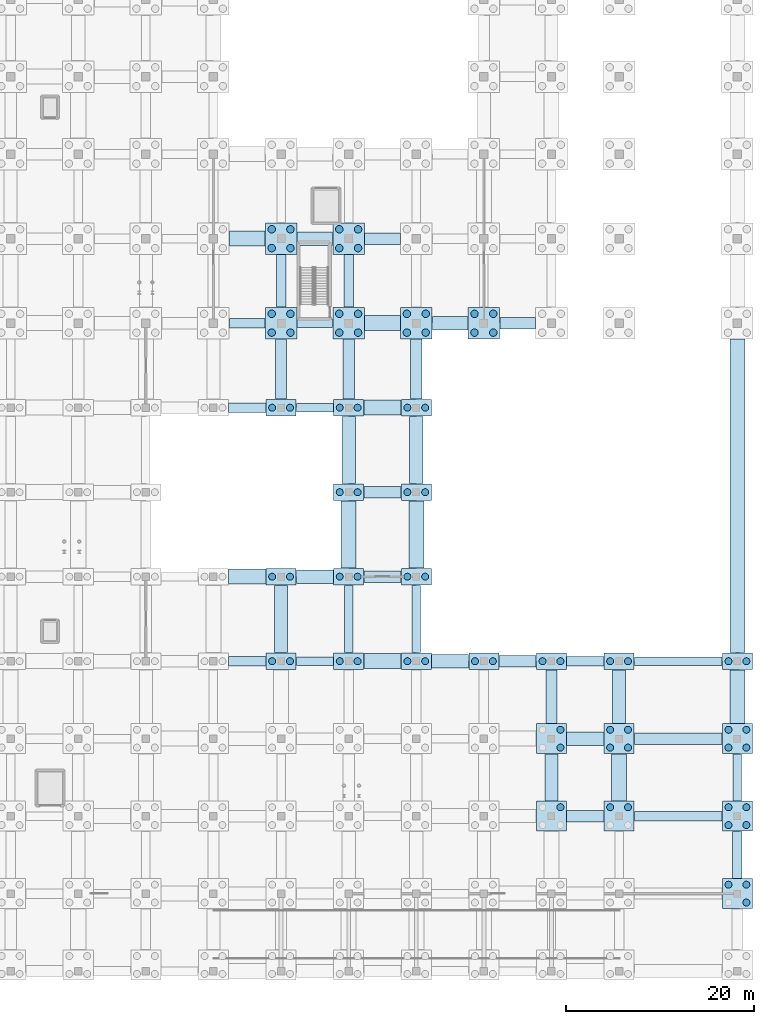
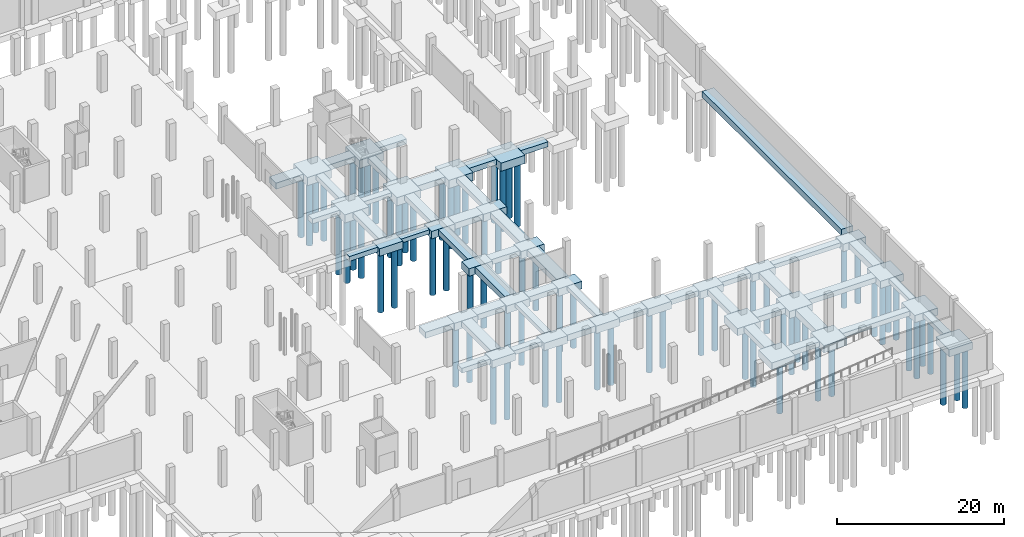
# One storey, part 10 of 42: 74 footings, 74 piles.
"""IFC4 building model written with IfcOpenShell, lengths in metres."""

import ifcopenshell
import ifcopenshell.guid

model = None  # the IFC model being written
_history = None  # IfcOwnerHistory: only IFC2X3 demands one
_inside = {}  # id of a spatial element -> (the spatial element, [elements in it])
_under = {}  # id of a project, library or spatial element -> (it, [spatial elements below it])
_declared = {}  # id of a project -> (the project, [libraries it declares])
_typed = {}  # id of a type object -> (the type object, [elements of that type])
_made_of = {}  # id of a material, layer set ... -> (it, [elements and type objects made of it])


def new_model(schema):
    """Start an empty IFC model of exactly this schema.

    Asked for "IFC4X3", IfcOpenShell would pick the latest addendum, in which some entities
    have other attributes; the version numbers below select the first issue.
    IFC2X3 requires an IfcOwnerHistory on every rooted entity: one is made here for all.
    """
    global model, _history
    if schema == "IFC4X3":
        model = ifcopenshell.file(schema_version=(4, 3, 0, 0))
    else:
        model = ifcopenshell.file(schema=schema)
    _inside.clear()
    _under.clear()
    _declared.clear()
    _typed.clear()
    _made_of.clear()
    _history = None
    if model.schema == "IFC2X3":
        org = make("IfcOrganization", Name="unknown")
        user = make(
            "IfcPersonAndOrganization",
            ThePerson=make("IfcPerson", FamilyName="unknown"),
            TheOrganization=org,
        )
        app = make(
            "IfcApplication",
            ApplicationDeveloper=org,
            Version="unknown",
            ApplicationFullName="unknown",
            ApplicationIdentifier="unknown",
        )
        _history = make(
            "IfcOwnerHistory",
            OwningUser=user,
            OwningApplication=app,
            ChangeAction="ADDED",
            CreationDate=0,
        )
    return model


def make(cls, **values):
    """One entity of the class cls with the attributes given. An attribute that is None is left unset."""
    return model.create_entity(
        cls, **{name: value for name, value in values.items() if value is not None}
    )


def rooted(cls, **values):
    """An entity with a GlobalId (a new one), such as an element, a storey or a relation."""
    return make(cls, GlobalId=ifcopenshell.guid.new(), OwnerHistory=_history, **values)


def si_unit(unit_type, name, prefix=None):
    """IfcSIUnit, for example si_unit("LENGTHUNIT", "METRE", prefix="MILLI")."""
    return make("IfcSIUnit", UnitType=unit_type, Prefix=prefix, Name=name)


def assignment(units):
    """IfcUnitAssignment: the units of a project."""
    return None if units is None else make("IfcUnitAssignment", Units=units)


def point(xyz):
    """IfcCartesianPoint."""
    return None if xyz is None else make("IfcCartesianPoint", Coordinates=xyz)


def direction(xyz):
    """IfcDirection."""
    return None if xyz is None else make("IfcDirection", DirectionRatios=xyz)


def frame(location, z_axis=None, x_axis=None):
    """IfcAxis2Placement3D, a coordinate frame: its origin and axes. An axis left out is left unset."""
    return make(
        "IfcAxis2Placement3D",
        Location=point(location),
        Axis=direction(z_axis),
        RefDirection=direction(x_axis),
    )


def frame_2d(location, x_axis=None):
    """IfcAxis2Placement2D, a coordinate frame in the plane: its origin and x axis."""
    return make(
        "IfcAxis2Placement2D", Location=point(location), RefDirection=direction(x_axis)
    )


def origin():
    """The frame at (0, 0, 0) with its axes left unset."""
    return frame((0.0, 0.0, 0.0))


def origin_2d():
    """The frame at (0, 0) in the plane with its x axis left unset."""
    return frame_2d((0.0, 0.0))


def place(relative_to, where):
    """IfcLocalPlacement: puts the frame where relative to a parent placement (None: the world)."""
    return make(
        "IfcLocalPlacement", PlacementRelTo=relative_to, RelativePlacement=where
    )


def context(
    kind, dimensions, precision=None, world=None, true_north=None, identifier=None
):
    """IfcGeometricRepresentationContext, for example the 3D "Model" context."""
    return make(
        "IfcGeometricRepresentationContext",
        ContextIdentifier=identifier,
        ContextType=kind,
        CoordinateSpaceDimension=dimensions,
        Precision=precision,
        WorldCoordinateSystem=world,
        TrueNorth=true_north,
    )


def subcontext(parent, identifier, kind, view, scale=None):
    """IfcGeometricRepresentationSubContext, for example "Body" below "Model"."""
    return make(
        "IfcGeometricRepresentationSubContext",
        ContextIdentifier=identifier,
        ContextType=kind,
        ParentContext=parent,
        TargetScale=scale,
        TargetView=view,
    )


def project(units=None, contexts=None):
    """IfcProject with its units and contexts."""
    return rooted(
        "IfcProject",
        Name="project",
        RepresentationContexts=contexts,
        UnitsInContext=assignment(units),
    )


def spatial(cls, under=None, at=None, **own):
    """A site, building, storey or space (cls), placed at a placement, below another one or the project."""
    s = rooted(cls, ObjectPlacement=at, **own)
    if under is not None:
        _under.setdefault(under.id(), (under, []))[1].append(s)
    return s


def profile(cls, at=None, kind="AREA", **sizes):
    """A parametric profile (cls). Its sizes go by their IFC names, for example OverallWidth=200.0."""
    return make(cls, ProfileType=kind, Position=at, **sizes)


def rectangle(**sizes):
    """IfcRectangleProfileDef."""
    return profile("IfcRectangleProfileDef", **sizes)


def circle(**sizes):
    """IfcCircleProfileDef."""
    return profile("IfcCircleProfileDef", **sizes)


def extrude(swept, where, along, depth):
    """IfcExtrudedAreaSolid: the profile swept, set in the frame where, extruded along a direction by depth."""
    return make(
        "IfcExtrudedAreaSolid",
        SweptArea=swept,
        Position=where,
        ExtrudedDirection=direction(along),
        Depth=depth,
    )


def shape(context_of_items, identifier, shape_type, items):
    """IfcShapeRepresentation: the items that make up one representation, for example the "Body"."""
    return make(
        "IfcShapeRepresentation",
        ContextOfItems=context_of_items,
        RepresentationIdentifier=identifier,
        RepresentationType=shape_type,
        Items=items,
    )


def material(Name=None, Category=None):
    """IfcMaterial."""
    return make("IfcMaterial", Name=Name, Category=Category)


def material_profile(
    of_material, cross_section, Name=None, Category=None, Priority=None
):
    """IfcMaterialProfile: a cross section and its material."""
    return make(
        "IfcMaterialProfile",
        Name=Name,
        Material=of_material,
        Profile=cross_section,
        Priority=Priority,
        Category=Category,
    )


def profile_set(profiles, Name=None, composite=None):
    """IfcMaterialProfileSet."""
    return make(
        "IfcMaterialProfileSet",
        Name=Name,
        MaterialProfiles=profiles,
        CompositeProfile=composite,
    )


def made_of(thing, what):
    """Note that an element or type object is made of a material, layer set ...; save() writes the relation."""
    if what is not None:
        _made_of.setdefault(what.id(), (what, []))[1].append(thing)
    return thing


def type_object(cls, material=None, **own):
    """A type object (cls), such as IfcWallType, which elements share."""
    return made_of(rooted(cls, **own), material)


def element(
    cls,
    number,
    at=None,
    inside=None,
    cuts=None,
    type_object=None,
    material=None,
    context=None,
    identifier="Body",
    shape_type=None,
    held_by="IfcProductDefinitionShape",
    body=None,
    shapes=None,
    **own,
):
    """One element of the class cls, such as IfcWall. Its Tag is "e" and its number.

    at: its placement. inside: the storey or other place that contains it. cuts: it is an
    opening in that element (IfcRelVoidsElement). A single representation is given by context,
    identifier, shape_type and body (its items); several are given by shapes. held_by: the class
    of the entity that holds the representations. save() writes the other relations.
    """
    e = rooted(cls, Tag="e%d" % number, ObjectPlacement=at, **own)
    if body is not None:
        shapes = [shape(context, identifier, shape_type, body)]
    if shapes is not None:
        e.Representation = make(held_by, Representations=shapes)
    if inside is not None:
        _inside.setdefault(inside.id(), (inside, []))[1].append(e)
    if cuts is not None:
        rooted(
            "IfcRelVoidsElement", RelatingBuildingElement=cuts, RelatedOpeningElement=e
        )
    if type_object is not None:
        _typed.setdefault(type_object.id(), (type_object, []))[1].append(e)
    return made_of(e, material)


def aggregate(whole, parts):
    """IfcRelAggregates: a whole, such as a stair, and the parts it consists of."""
    return rooted("IfcRelAggregates", RelatingObject=whole, RelatedObjects=parts)


def save(model, path):
    """Write the relations noted so far, then the file.

    IfcRelAggregates (storeys below a building ...), IfcRelContainedInSpatialStructure (elements
    in a storey), IfcRelDefinesByType, IfcRelAssociatesMaterial and IfcRelDeclares: one each for
    every whole, place, type object, material and project.
    """
    for whole, parts in _under.values():
        aggregate(whole, parts)
    for where, things in _inside.values():
        rooted(
            "IfcRelContainedInSpatialStructure",
            RelatedElements=things,
            RelatingStructure=where,
        )
    for kind, things in _typed.values():
        rooted("IfcRelDefinesByType", RelatedObjects=things, RelatingType=kind)
    for what, things in _made_of.values():
        rooted("IfcRelAssociatesMaterial", RelatedObjects=things, RelatingMaterial=what)
    for by, libraries in _declared.values():
        rooted("IfcRelDeclares", RelatingContext=by, RelatedDefinitions=libraries)
    model.write(path)


model = new_model("IFC4")

# Units and contexts
model_context = context("Model", 3, precision=1e-05, world=origin(), true_north=direction((0.0, 1.0)))
body_context = subcontext(model_context, "Body", "Model", "MODEL_VIEW")
ifc_project = project(units=[si_unit("LENGTHUNIT", "METRE"), si_unit("AREAUNIT", "SQUARE_METRE"), si_unit("VOLUMEUNIT", "CUBIC_METRE"), si_unit("PLANEANGLEUNIT", "RADIAN"), si_unit("MASSUNIT", "GRAM", prefix="KILO")], contexts=[model_context])

# Site, building, storey
site_placement = place(None, origin())
site = spatial("IfcSite", under=ifc_project, at=site_placement, CompositionType="ELEMENT")
building_placement = place(site_placement, origin())
building = spatial("IfcBuilding", under=site, at=building_placement, Name="Sundgate Opera House", CompositionType="ELEMENT")
storey_placement = place(building_placement, frame((0.0, 0.0, -5.39990234375)))
storey = spatial("IfcBuildingStorey", under=building, at=storey_placement, Name="B01", CompositionType="ELEMENT", Elevation=-5.39990234375)

# Footings
ifc_material_1 = material(Name="Concrete C40/50", Category="concrete")
footing_type_1 = type_object("IfcFootingType", Name="FT-PC-3200x1800x1100", PredefinedType="PILE_CAP", material=ifc_material_1)
for number, where, z_axis, x_axis, name in (
    (1, (131.39990234375, 33.0, -1.900146484375), (0.0, 0.0, 1.0), (1.0, 0.0, 0.0), "Pile Cap F0222"),
    (2, (131.39990234375, 42.0, -1.900146484375), (0.0, 0.0, 1.0), (1.0, 0.0, 0.0), "Pile Cap F0223"),
    (3, (131.39990234375, 60.0, -1.900146484375), (0.0, 0.0, 1.0), (1.0, 0.0, 0.0), "Pile Cap F0224"),
    (4, (138.60009765625, 33.0, -1.900146484375), (0.0, 0.0, 1.0), (1.0, 0.0, 0.0), "Pile Cap F0234"),
    (5, (138.60009765625, 42.0, -1.900146484375), (0.0, 0.0, 1.0), (1.0, 0.0, 0.0), "Pile Cap F0235"),
    (6, (138.60009765625, 51.0, -1.900146484375), (0.0, 0.0, 1.0), (1.0, 0.0, 0.0), "Pile Cap F0236"),
    (7, (138.60009765625, 60.0, -1.900146484375), (0.0, 0.0, 1.0), (1.0, 0.0, 0.0), "Pile Cap F0237"),
    (8, (145.800048828125, 33.0, -1.900146484375), (0.0, 0.0, 1.0), (1.0, 0.0, 0.0), "Pile Cap F0247"),
    (9, (145.800048828125, 42.0, -1.900146484375), (0.0, 0.0, 1.0), (1.0, 0.0, 0.0), "Pile Cap F0248"),
    (10, (145.800048828125, 51.0, -1.900146484375), (0.0, 0.0, 1.0), (1.0, 0.0, 0.0), "Pile Cap F0249"),
    (11, (145.800048828125, 60.0, -1.900146484375), (0.0, 0.0, 1.0), (1.0, 0.0, 0.0), "Pile Cap F0250"),
    (12, (153.0, 33.0, -1.900146484375), (0.0, 0.0, 1.0), (1.0, 0.0, 0.0), "Pile Cap F0260"),
    (13, (160.199951171875, 33.0, -1.900146484375), (0.0, 0.0, 1.0), (1.0, 0.0, 0.0), "Pile Cap F0272"),
    (14, (167.39990234375, 33.0, -1.900146484375), (0.0, 0.0, 1.0), (1.0, 0.0, 0.0), "Pile Cap F0284"),
    (15, (180.0, 33.0, -1.900146484375), (0.0, 0.0, 1.0), (1.0, 0.0, 0.0), "Pile Cap F0296"),
):
    element("IfcFooting", number, at=place(storey_placement, frame(where, z_axis=z_axis, x_axis=x_axis)), inside=storey, type_object=footing_type_1, Name=name, PredefinedType="PILE_CAP", context=body_context, shape_type="SweptSolid", body=[
        extrude(rectangle(XDim=3.199951171875, YDim=1.800048828125, at=origin_2d()), origin(), (0.0, 0.0, 1.0), 1.10009765625),
    ])
ifc_material_2 = material(Name="Concrete C40/50", Category="concrete")
footing_type_2 = type_object("IfcFootingType", Name="FT-PC-3200x3200x1050", PredefinedType="PILE_CAP", material=ifc_material_2)
for number, where, z_axis, x_axis, name in (
    (16, (160.199951171875, 16.5, -1.85009765625), (0.0, 0.0, 1.0), (1.0, 0.0, 0.0), "Pile Cap F0270"),
    (17, (160.199951171875, 24.75, -1.85009765625), (0.0, 0.0, 1.0), (1.0, 0.0, 0.0), "Pile Cap F0271"),
    (18, (167.39990234375, 16.5, -1.85009765625), (0.0, 0.0, 1.0), (1.0, 0.0, 0.0), "Pile Cap F0282"),
    (19, (167.39990234375, 24.75, -1.85009765625), (0.0, 0.0, 1.0), (1.0, 0.0, 0.0), "Pile Cap F0283"),
    (20, (180.0, 8.25, -1.85009765625), (0.0, 0.0, 1.0), (1.0, 0.0, 0.0), "Pile Cap F0293"),
    (21, (180.0, 16.5, -1.85009765625), (0.0, 0.0, 1.0), (1.0, 0.0, 0.0), "Pile Cap F0294"),
    (22, (180.0, 24.75, -1.85009765625), (0.0, 0.0, 1.0), (1.0, 0.0, 0.0), "Pile Cap F0295"),
):
    element("IfcFooting", number, at=place(storey_placement, frame(where, z_axis=z_axis, x_axis=x_axis)), inside=storey, type_object=footing_type_2, Name=name, PredefinedType="PILE_CAP", context=body_context, shape_type="SweptSolid", body=[
        extrude(rectangle(XDim=3.199951171875, YDim=3.199951171875, at=origin_2d()), origin(), (0.0, 0.0, 1.0), 1.050048828125),
    ])
ifc_material_3 = material(Name="Concrete C40/50", Category="concrete")
footing_type_3 = type_object("IfcFootingType", Name="FT-PC-3360x3360x1200", PredefinedType="PILE_CAP", material=ifc_material_3)
for number, where, z_axis, x_axis, name in (
    (23, (131.39990234375, 69.0, -2.0), (0.0, 0.0, 1.0), (1.0, 0.0, 0.0), "Pile Cap F0225"),
    (24, (131.39990234375, 78.0, -2.0), (0.0, 0.0, 1.0), (1.0, 0.0, 0.0), "Pile Cap F0226"),
    (25, (138.60009765625, 69.0, -2.0), (0.0, 0.0, 1.0), (1.0, 0.0, 0.0), "Pile Cap F0238"),
    (26, (138.60009765625, 78.0, -2.0), (0.0, 0.0, 1.0), (1.0, 0.0, 0.0), "Pile Cap F0239"),
    (27, (145.800048828125, 69.0, -2.0), (0.0, 0.0, 1.0), (1.0, 0.0, 0.0), "Pile Cap F0251"),
    (28, (153.0, 69.0, -2.0), (0.0, 0.0, 1.0), (1.0, 0.0, 0.0), "Pile Cap F0261"),
):
    element("IfcFooting", number, at=place(storey_placement, frame(where, z_axis=z_axis, x_axis=x_axis)), inside=storey, type_object=footing_type_3, Name=name, PredefinedType="PILE_CAP", context=body_context, shape_type="SweptSolid", body=[
        extrude(rectangle(XDim=3.360107421875, YDim=3.360107421875, at=origin_2d()), origin(), (0.0, 0.0, 1.0), 1.199951171875),
    ])
ifc_material_4 = material(Name="Concrete C35/45", Category="concrete")
footing_type_4 = type_object("IfcFootingType", Name="FT-STR-1000x700", PredefinedType="STRIP_FOOTING", material=ifc_material_4)
for number, where, z_axis, x_axis, name in (
    (29, (131.39990234375, 73.5, -1.5), (0.0, 0.0, 1.0), (1.0, 0.0, 0.0), "Strip Footing F0492"),
    (30, (138.60009765625, 73.5, -1.5), (0.0, 0.0, 1.0), (1.0, 0.0, 0.0), "Strip Footing F0502"),
):
    element("IfcFooting", number, at=place(storey_placement, frame(where, z_axis=z_axis, x_axis=x_axis)), inside=storey, type_object=footing_type_4, Name=name, PredefinedType="STRIP_FOOTING", context=body_context, shape_type="SweptSolid", body=[
        extrude(rectangle(XDim=1.0, YDim=5.590087890625, at=origin_2d()), origin(), (0.0, 0.0, 1.0), 0.699951171875),
    ])
footing_1_placement = place(storey_placement, frame((180.0, 12.375, -1.5), z_axis=(0.0, 0.0, 1.0), x_axis=(1.0, 0.0, 0.0)))
element("IfcFooting", 31, at=footing_1_placement, inside=storey, type_object=footing_type_4, Name="Strip Footing F0537", PredefinedType="STRIP_FOOTING", context=body_context, shape_type="SweptSolid", body=[
    extrude(rectangle(XDim=1.0, YDim=5.0, at=origin_2d()), origin(), (0.0, 0.0, 1.0), 0.699951171875),
])
footing_2_placement = place(storey_placement, frame((173.699951171875, 16.5, -1.5), z_axis=(0.0, 0.0, 1.0), x_axis=(1.0, 0.0, 0.0)))
element("IfcFooting", 32, at=footing_2_placement, inside=storey, type_object=footing_type_4, Name="Strip Footing F0587", PredefinedType="STRIP_FOOTING", context=body_context, shape_type="SweptSolid", body=[
    extrude(rectangle(XDim=9.35009765625, YDim=1.0, at=origin_2d()), origin(), (0.0, 0.0, 1.0), 0.699951171875),
])
for number, where, z_axis, x_axis, name in (
    (33, (127.800048828125, 33.0, -1.5), (0.0, 0.0, 1.0), (1.0, 0.0, 0.0), "Strip Footing F0617"),
    (34, (163.800048828125, 33.0, -1.5), (0.0, 0.0, 1.0), (1.0, 0.0, 0.0), "Strip Footing F0622"),
    (35, (127.800048828125, 60.0, -1.5), (0.0, 0.0, 1.0), (1.0, 0.0, 0.0), "Strip Footing F0672"),
):
    element("IfcFooting", number, at=place(storey_placement, frame(where, z_axis=z_axis, x_axis=x_axis)), inside=storey, type_object=footing_type_4, Name=name, PredefinedType="STRIP_FOOTING", context=body_context, shape_type="SweptSolid", body=[
        extrude(rectangle(XDim=3.949951171875, YDim=1.0, at=origin_2d()), origin(), (0.0, 0.0, 1.0), 0.699951171875),
    ])
footing_3_placement = place(storey_placement, frame((127.800048828125, 69.0, -1.5), z_axis=(0.0, 0.0, 1.0), x_axis=(1.0, 0.0, 0.0)))
element("IfcFooting", 36, at=footing_3_placement, inside=storey, type_object=footing_type_4, Name="Strip Footing F0687", PredefinedType="STRIP_FOOTING", context=body_context, shape_type="SweptSolid", body=[
    extrude(rectangle(XDim=3.7900390625, YDim=1.0, at=origin_2d()), origin(), (0.0, 0.0, 1.0), 0.699951171875),
])
ifc_material_5 = material(Name="Concrete C35/45", Category="concrete")
footing_type_5 = type_object("IfcFootingType", Name="FT-STR-1200x750", PredefinedType="STRIP_FOOTING", material=ifc_material_5)
for number, where, z_axis, x_axis, name in (
    (37, (131.39990234375, 64.110107421875, -1.550048828125), (0.0, 0.0, 1.0), (1.0, 0.0, 0.0), "Strip Footing F0491"),
    (38, (138.60009765625, 64.110107421875, -1.550048828125), (0.0, 0.0, 1.0), (1.0, 0.0, 0.0), "Strip Footing F0501"),
    (39, (145.800048828125, 64.110107421875, -1.550048828125), (0.0, 0.0, 1.0), (1.0, 0.0, 0.0), "Strip Footing F0511"),
):
    element("IfcFooting", number, at=place(storey_placement, frame(where, z_axis=z_axis, x_axis=x_axis)), inside=storey, type_object=footing_type_5, Name=name, PredefinedType="STRIP_FOOTING", context=body_context, shape_type="SweptSolid", body=[
        extrude(rectangle(XDim=1.199951171875, YDim=6.3701171875, at=origin_2d()), origin(), (0.0, 0.0, 1.0), 0.75),
    ])
footing_4_placement = place(storey_placement, frame((160.199951171875, 29.22509765625, -1.550048828125), z_axis=(0.0, 0.0, 1.0), x_axis=(1.0, 0.0, 0.0)))
element("IfcFooting", 40, at=footing_4_placement, inside=storey, type_object=footing_type_5, Name="Strip Footing F0526", PredefinedType="STRIP_FOOTING", context=body_context, shape_type="SweptSolid", body=[
    extrude(rectangle(XDim=1.199951171875, YDim=5.699951171875, at=origin_2d()), origin(), (0.0, 0.0, 1.0), 0.75),
])
footing_5_placement = place(storey_placement, frame((163.800048828125, 16.5, -1.550048828125), z_axis=(0.0, 0.0, 1.0), x_axis=(1.0, 0.0, 0.0)))
element("IfcFooting", 41, at=footing_5_placement, inside=storey, type_object=footing_type_5, Name="Strip Footing F0586", PredefinedType="STRIP_FOOTING", context=body_context, shape_type="SweptSolid", body=[
    extrude(rectangle(XDim=3.949951171875, YDim=1.199951171875, at=origin_2d()), origin(), (0.0, 0.0, 1.0), 0.75),
])
footing_6_placement = place(storey_placement, frame((173.699951171875, 24.75, -1.550048828125), z_axis=(0.0, 0.0, 1.0), x_axis=(1.0, 0.0, 0.0)))
element("IfcFooting", 42, at=footing_6_placement, inside=storey, type_object=footing_type_5, Name="Strip Footing F0601", PredefinedType="STRIP_FOOTING", context=body_context, shape_type="SweptSolid", body=[
    extrude(rectangle(XDim=9.35009765625, YDim=1.199951171875, at=origin_2d()), origin(), (0.0, 0.0, 1.0), 0.75),
])
for number, where, z_axis, x_axis, name in (
    (43, (156.60009765625, 33.0, -1.550048828125), (0.0, 0.0, 1.0), (1.0, 0.0, 0.0), "Strip Footing F0621"),
    (44, (142.199951171875, 42.0, -1.550048828125), (0.0, 0.0, 1.0), (1.0, 0.0, 0.0), "Strip Footing F0641"),
    (45, (142.199951171875, 51.0, -1.550048828125), (0.0, 0.0, 1.0), (1.0, 0.0, 0.0), "Strip Footing F0656"),
):
    element("IfcFooting", number, at=place(storey_placement, frame(where, z_axis=z_axis, x_axis=x_axis)), inside=storey, type_object=footing_type_5, Name=name, PredefinedType="STRIP_FOOTING", context=body_context, shape_type="SweptSolid", body=[
        extrude(rectangle(XDim=3.949951171875, YDim=1.199951171875, at=origin_2d()), origin(), (0.0, 0.0, 1.0), 0.75),
    ])
for number, where, z_axis, x_axis, name in (
    (46, (156.60009765625, 69.0, -1.550048828125), (0.0, 0.0, 1.0), (1.0, 0.0, 0.0), "Strip Footing F0691"),
    (47, (142.199951171875, 78.0, -1.550048828125), (0.0, 0.0, 1.0), (1.0, 0.0, 0.0), "Strip Footing F0706"),
):
    element("IfcFooting", number, at=place(storey_placement, frame(where, z_axis=z_axis, x_axis=x_axis)), inside=storey, type_object=footing_type_5, Name=name, PredefinedType="STRIP_FOOTING", context=body_context, shape_type="SweptSolid", body=[
        extrude(rectangle(XDim=3.7900390625, YDim=1.199951171875, at=origin_2d()), origin(), (0.0, 0.0, 1.0), 0.75),
    ])
ifc_material_6 = material(Name="Concrete C35/45", Category="concrete")
footing_type_6 = type_object("IfcFootingType", Name="FT-STR-1400x800", PredefinedType="STRIP_FOOTING", material=ifc_material_6)
for number, where, z_axis, x_axis, name in (
    (48, (131.39990234375, 37.5, -1.60009765625), (0.0, 0.0, 1.0), (1.0, 0.0, 0.0), "Strip Footing F0490"),
    (49, (138.60009765625, 55.5, -1.60009765625), (0.0, 0.0, 1.0), (1.0, 0.0, 0.0), "Strip Footing F0500"),
    (50, (145.800048828125, 55.5, -1.60009765625), (0.0, 0.0, 1.0), (1.0, 0.0, 0.0), "Strip Footing F0510"),
):
    element("IfcFooting", number, at=place(storey_placement, frame(where, z_axis=z_axis, x_axis=x_axis)), inside=storey, type_object=footing_type_6, Name=name, PredefinedType="STRIP_FOOTING", context=body_context, shape_type="SweptSolid", body=[
        extrude(rectangle(XDim=1.39990234375, YDim=7.14990234375, at=origin_2d()), origin(), (0.0, 0.0, 1.0), 0.800048828125),
    ])
footing_7_placement = place(storey_placement, frame((160.199951171875, 20.625, -1.60009765625), z_axis=(0.0, 0.0, 1.0), x_axis=(1.0, 0.0, 0.0)))
element("IfcFooting", 51, at=footing_7_placement, inside=storey, type_object=footing_type_6, Name="Strip Footing F0525", PredefinedType="STRIP_FOOTING", context=body_context, shape_type="SweptSolid", body=[
    extrude(rectangle(XDim=1.39990234375, YDim=5.0, at=origin_2d()), origin(), (0.0, 0.0, 1.0), 0.800048828125),
])
footing_8_placement = place(storey_placement, frame((167.39990234375, 29.22509765625, -1.60009765625), z_axis=(0.0, 0.0, 1.0), x_axis=(1.0, 0.0, 0.0)))
element("IfcFooting", 52, at=footing_8_placement, inside=storey, type_object=footing_type_6, Name="Strip Footing F0535", PredefinedType="STRIP_FOOTING", context=body_context, shape_type="SweptSolid", body=[
    extrude(rectangle(XDim=1.39990234375, YDim=5.699951171875, at=origin_2d()), origin(), (0.0, 0.0, 1.0), 0.800048828125),
])
for number, where, z_axis, x_axis, name in (
    (53, (163.800048828125, 24.75, -1.60009765625), (0.0, 0.0, 1.0), (1.0, 0.0, 0.0), "Strip Footing F0600"),
    (54, (149.39990234375, 33.0, -1.60009765625), (0.0, 0.0, 1.0), (1.0, 0.0, 0.0), "Strip Footing F0620"),
    (55, (135.0, 42.0, -1.60009765625), (0.0, 0.0, 1.0), (1.0, 0.0, 0.0), "Strip Footing F0640"),
):
    element("IfcFooting", number, at=place(storey_placement, frame(where, z_axis=z_axis, x_axis=x_axis)), inside=storey, type_object=footing_type_6, Name=name, PredefinedType="STRIP_FOOTING", context=body_context, shape_type="SweptSolid", body=[
        extrude(rectangle(XDim=3.949951171875, YDim=1.39990234375, at=origin_2d()), origin(), (0.0, 0.0, 1.0), 0.800048828125),
    ])
for number, where, z_axis, x_axis, name in (
    (56, (149.39990234375, 69.0, -1.60009765625), (0.0, 0.0, 1.0), (1.0, 0.0, 0.0), "Strip Footing F0690"),
    (57, (135.0, 78.0, -1.60009765625), (0.0, 0.0, 1.0), (1.0, 0.0, 0.0), "Strip Footing F0705"),
):
    element("IfcFooting", number, at=place(storey_placement, frame(where, z_axis=z_axis, x_axis=x_axis)), inside=storey, type_object=footing_type_6, Name=name, PredefinedType="STRIP_FOOTING", context=body_context, shape_type="SweptSolid", body=[
        extrude(rectangle(XDim=3.7900390625, YDim=1.39990234375, at=origin_2d()), origin(), (0.0, 0.0, 1.0), 0.800048828125),
    ])
ifc_material_7 = material(Name="Concrete C35/45", Category="concrete")
footing_type_7 = type_object("IfcFootingType", Name="FT-STR-1600x900", PredefinedType="STRIP_FOOTING", material=ifc_material_7)
for number, where, z_axis, x_axis, name in (
    (58, (138.60009765625, 46.5, -1.699951171875), (0.0, 0.0, 1.0), (1.0, 0.0, 0.0), "Strip Footing F0499"),
    (59, (145.800048828125, 46.5, -1.699951171875), (0.0, 0.0, 1.0), (1.0, 0.0, 0.0), "Strip Footing F0509"),
):
    element("IfcFooting", number, at=place(storey_placement, frame(where, z_axis=z_axis, x_axis=x_axis)), inside=storey, type_object=footing_type_7, Name=name, PredefinedType="STRIP_FOOTING", context=body_context, shape_type="SweptSolid", body=[
        extrude(rectangle(XDim=1.60009765625, YDim=7.14990234375, at=origin_2d()), origin(), (0.0, 0.0, 1.0), 0.89990234375),
    ])
footing_9_placement = place(storey_placement, frame((167.39990234375, 20.625, -1.699951171875), z_axis=(0.0, 0.0, 1.0), x_axis=(1.0, 0.0, 0.0)))
element("IfcFooting", 60, at=footing_9_placement, inside=storey, type_object=footing_type_7, Name="Strip Footing F0534", PredefinedType="STRIP_FOOTING", context=body_context, shape_type="SweptSolid", body=[
    extrude(rectangle(XDim=1.60009765625, YDim=5.0, at=origin_2d()), origin(), (0.0, 0.0, 1.0), 0.89990234375),
])
footing_10_placement = place(storey_placement, frame((180.0, 29.22509765625, -1.699951171875), z_axis=(0.0, 0.0, 1.0), x_axis=(1.0, 0.0, 0.0)))
element("IfcFooting", 61, at=footing_10_placement, inside=storey, type_object=footing_type_7, Name="Strip Footing F0539", PredefinedType="STRIP_FOOTING", context=body_context, shape_type="SweptSolid", body=[
    extrude(rectangle(XDim=1.60009765625, YDim=5.699951171875, at=origin_2d()), origin(), (0.0, 0.0, 1.0), 0.89990234375),
])
for number, where, z_axis, x_axis, name in (
    (62, (142.199951171875, 33.0, -1.699951171875), (0.0, 0.0, 1.0), (1.0, 0.0, 0.0), "Strip Footing F0619"),
    (63, (127.800048828125, 42.0, -1.699951171875), (0.0, 0.0, 1.0), (1.0, 0.0, 0.0), "Strip Footing F0639"),
    (64, (142.199951171875, 60.0, -1.699951171875), (0.0, 0.0, 1.0), (1.0, 0.0, 0.0), "Strip Footing F0674"),
):
    element("IfcFooting", number, at=place(storey_placement, frame(where, z_axis=z_axis, x_axis=x_axis)), inside=storey, type_object=footing_type_7, Name=name, PredefinedType="STRIP_FOOTING", context=body_context, shape_type="SweptSolid", body=[
        extrude(rectangle(XDim=3.949951171875, YDim=1.60009765625, at=origin_2d()), origin(), (0.0, 0.0, 1.0), 0.89990234375),
    ])
for number, where, z_axis, x_axis, name in (
    (65, (142.199951171875, 69.0, -1.699951171875), (0.0, 0.0, 1.0), (1.0, 0.0, 0.0), "Strip Footing F0689"),
    (66, (127.800048828125, 78.0, -1.699951171875), (0.0, 0.0, 1.0), (1.0, 0.0, 0.0), "Strip Footing F0704"),
):
    element("IfcFooting", number, at=place(storey_placement, frame(where, z_axis=z_axis, x_axis=x_axis)), inside=storey, type_object=footing_type_7, Name=name, PredefinedType="STRIP_FOOTING", context=body_context, shape_type="SweptSolid", body=[
        extrude(rectangle(XDim=3.7900390625, YDim=1.60009765625, at=origin_2d()), origin(), (0.0, 0.0, 1.0), 0.89990234375),
    ])
footing_11_placement = place(storey_placement, frame((180.0, 50.610107421875, -0.900146484375), z_axis=(0.0, 0.0, 1.0), x_axis=(1.0, 0.0, 0.0)))
element("IfcFooting", 67, at=footing_11_placement, inside=storey, type_object=footing_type_7, Name="Retaining Wall Strip Footing F0793", PredefinedType="STRIP_FOOTING", context=body_context, shape_type="SweptSolid", body=[
    extrude(rectangle(XDim=1.60009765625, YDim=33.3701171875, at=origin_2d()), origin(), (0.0, 0.0, 1.0), 0.89990234375),
])
ifc_material_8 = material(Name="Concrete C35/45", Category="concrete")
footing_type_8 = type_object("IfcFootingType", Name="FT-STR-900x600", PredefinedType="STRIP_FOOTING", material=ifc_material_8)
for number, where, z_axis, x_axis, name in (
    (68, (138.60009765625, 37.5, -1.400146484375), (0.0, 0.0, 1.0), (1.0, 0.0, 0.0), "Strip Footing F0498"),
    (69, (145.800048828125, 37.5, -1.400146484375), (0.0, 0.0, 1.0), (1.0, 0.0, 0.0), "Strip Footing F0508"),
):
    element("IfcFooting", number, at=place(storey_placement, frame(where, z_axis=z_axis, x_axis=x_axis)), inside=storey, type_object=footing_type_8, Name=name, PredefinedType="STRIP_FOOTING", context=body_context, shape_type="SweptSolid", body=[
        extrude(rectangle(XDim=0.89990234375, YDim=7.14990234375, at=origin_2d()), origin(), (0.0, 0.0, 1.0), 0.60009765625),
    ])
footing_12_placement = place(storey_placement, frame((180.0, 20.625, -1.400146484375), z_axis=(0.0, 0.0, 1.0), x_axis=(1.0, 0.0, 0.0)))
element("IfcFooting", 70, at=footing_12_placement, inside=storey, type_object=footing_type_8, Name="Strip Footing F0538", PredefinedType="STRIP_FOOTING", context=body_context, shape_type="SweptSolid", body=[
    extrude(rectangle(XDim=0.89990234375, YDim=5.0, at=origin_2d()), origin(), (0.0, 0.0, 1.0), 0.60009765625),
])
footing_13_placement = place(storey_placement, frame((135.0, 33.0, -1.400146484375), z_axis=(0.0, 0.0, 1.0), x_axis=(1.0, 0.0, 0.0)))
element("IfcFooting", 71, at=footing_13_placement, inside=storey, type_object=footing_type_8, Name="Strip Footing F0618", PredefinedType="STRIP_FOOTING", context=body_context, shape_type="SweptSolid", body=[
    extrude(rectangle(XDim=3.949951171875, YDim=0.89990234375, at=origin_2d()), origin(), (0.0, 0.0, 1.0), 0.60009765625),
])
footing_14_placement = place(storey_placement, frame((173.699951171875, 33.0, -1.400146484375), z_axis=(0.0, 0.0, 1.0), x_axis=(1.0, 0.0, 0.0)))
element("IfcFooting", 72, at=footing_14_placement, inside=storey, type_object=footing_type_8, Name="Strip Footing F0623", PredefinedType="STRIP_FOOTING", context=body_context, shape_type="SweptSolid", body=[
    extrude(rectangle(XDim=9.35009765625, YDim=0.89990234375, at=origin_2d()), origin(), (0.0, 0.0, 1.0), 0.60009765625),
])
footing_15_placement = place(storey_placement, frame((135.0, 60.0, -1.400146484375), z_axis=(0.0, 0.0, 1.0), x_axis=(1.0, 0.0, 0.0)))
element("IfcFooting", 73, at=footing_15_placement, inside=storey, type_object=footing_type_8, Name="Strip Footing F0673", PredefinedType="STRIP_FOOTING", context=body_context, shape_type="SweptSolid", body=[
    extrude(rectangle(XDim=3.949951171875, YDim=0.89990234375, at=origin_2d()), origin(), (0.0, 0.0, 1.0), 0.60009765625),
])
footing_16_placement = place(storey_placement, frame((135.0, 69.0, -1.400146484375), z_axis=(0.0, 0.0, 1.0), x_axis=(1.0, 0.0, 0.0)))
element("IfcFooting", 74, at=footing_16_placement, inside=storey, type_object=footing_type_8, Name="Strip Footing F0688", PredefinedType="STRIP_FOOTING", context=body_context, shape_type="SweptSolid", body=[
    extrude(rectangle(XDim=3.7900390625, YDim=0.89990234375, at=origin_2d()), origin(), (0.0, 0.0, 1.0), 0.60009765625),
])

# Piles
ifc_material_9 = material(Name="Concrete C40/50", Category="concrete")
ifc_material_profile_1 = material_profile(ifc_material_9, circle(Radius=0.375, at=origin_2d()), Name="PILE D750")
ifc_profile_set_1 = profile_set([ifc_material_profile_1], Name="Concrete C40/50")
pile_type_1 = type_object("IfcPileType", Name="PL-750", PredefinedType="BORED", material=ifc_profile_set_1)
for number, where, z_axis, x_axis, name in (
    (75, (130.449951171875, 33.0, -1.800048828125), (0.0, 0.0, -1.0), (1.0, 0.0, 0.0), "Rock-Socketed Pile P0639"),
    (76, (132.35009765625, 33.0, -1.800048828125), (0.0, 0.0, -1.0), (1.0, 0.0, 0.0), "Rock-Socketed Pile P0640"),
    (77, (130.449951171875, 42.0, -1.800048828125), (0.0, 0.0, -1.0), (1.0, 0.0, 0.0), "Rock-Socketed Pile P0641"),
    (78, (132.35009765625, 42.0, -1.800048828125), (0.0, 0.0, -1.0), (1.0, 0.0, 0.0), "Rock-Socketed Pile P0642"),
    (79, (130.449951171875, 60.0, -1.800048828125), (0.0, 0.0, -1.0), (1.0, 0.0, 0.0), "Rock-Socketed Pile P0643"),
    (80, (132.35009765625, 60.0, -1.800048828125), (0.0, 0.0, -1.0), (1.0, 0.0, 0.0), "Rock-Socketed Pile P0644"),
    (81, (137.64990234375, 33.0, -1.800048828125), (0.0, 0.0, -1.0), (1.0, 0.0, 0.0), "Rock-Socketed Pile P0677"),
    (82, (139.550048828125, 33.0, -1.800048828125), (0.0, 0.0, -1.0), (1.0, 0.0, 0.0), "Rock-Socketed Pile P0678"),
    (83, (137.64990234375, 42.0, -1.800048828125), (0.0, 0.0, -1.0), (1.0, 0.0, 0.0), "Rock-Socketed Pile P0679"),
    (84, (139.550048828125, 42.0, -1.800048828125), (0.0, 0.0, -1.0), (1.0, 0.0, 0.0), "Rock-Socketed Pile P0680"),
    (85, (137.64990234375, 51.0, -1.800048828125), (0.0, 0.0, -1.0), (1.0, 0.0, 0.0), "Rock-Socketed Pile P0681"),
    (86, (139.550048828125, 51.0, -1.800048828125), (0.0, 0.0, -1.0), (1.0, 0.0, 0.0), "Rock-Socketed Pile P0682"),
    (87, (137.64990234375, 60.0, -1.800048828125), (0.0, 0.0, -1.0), (1.0, 0.0, 0.0), "Rock-Socketed Pile P0683"),
    (88, (139.550048828125, 60.0, -1.800048828125), (0.0, 0.0, -1.0), (1.0, 0.0, 0.0), "Rock-Socketed Pile P0684"),
    (89, (144.85009765625, 33.0, -1.800048828125), (0.0, 0.0, -1.0), (1.0, 0.0, 0.0), "Rock-Socketed Pile P0717"),
    (90, (146.75, 33.0, -1.800048828125), (0.0, 0.0, -1.0), (1.0, 0.0, 0.0), "Rock-Socketed Pile P0718"),
    (91, (144.85009765625, 42.0, -1.800048828125), (0.0, 0.0, -1.0), (1.0, 0.0, 0.0), "Rock-Socketed Pile P0719"),
    (92, (146.75, 42.0, -1.800048828125), (0.0, 0.0, -1.0), (1.0, 0.0, 0.0), "Rock-Socketed Pile P0720"),
    (93, (144.85009765625, 51.0, -1.800048828125), (0.0, 0.0, -1.0), (1.0, 0.0, 0.0), "Rock-Socketed Pile P0721"),
    (94, (146.75, 51.0, -1.800048828125), (0.0, 0.0, -1.0), (1.0, 0.0, 0.0), "Rock-Socketed Pile P0722"),
    (95, (144.85009765625, 60.0, -1.800048828125), (0.0, 0.0, -1.0), (1.0, 0.0, 0.0), "Rock-Socketed Pile P0723"),
    (96, (146.75, 60.0, -1.800048828125), (0.0, 0.0, -1.0), (1.0, 0.0, 0.0), "Rock-Socketed Pile P0724"),
    (97, (152.050048828125, 33.0, -1.800048828125), (0.0, 0.0, -1.0), (1.0, 0.0, 0.0), "Rock-Socketed Pile P0757"),
    (98, (153.949951171875, 33.0, -1.800048828125), (0.0, 0.0, -1.0), (1.0, 0.0, 0.0), "Rock-Socketed Pile P0758"),
):
    element("IfcPile", number, at=place(storey_placement, frame(where, z_axis=z_axis, x_axis=x_axis)), inside=storey, type_object=pile_type_1, Name=name, PredefinedType="BORED", context=body_context, shape_type="SweptSolid", body=[
        extrude(circle(Radius=0.375, at=origin_2d()), origin(), (0.0, 0.0, 1.0), 8.89990234375),
    ])
for number, where, z_axis, x_axis, name in (
    (99, (161.14990234375, 17.449951171875, -1.75), (0.0, 0.0, -1.0), (1.0, 0.0, 0.0), "Rock-Socketed Pile P0794"),
    (100, (161.14990234375, 23.800048828125, -1.75), (0.0, 0.0, -1.0), (1.0, 0.0, 0.0), "Rock-Socketed Pile P0797"),
    (101, (161.14990234375, 25.699951171875, -1.75), (0.0, 0.0, -1.0), (1.0, 0.0, 0.0), "Rock-Socketed Pile P0798"),
):
    element("IfcPile", number, at=place(storey_placement, frame(where, z_axis=z_axis, x_axis=x_axis)), inside=storey, type_object=pile_type_1, Name=name, PredefinedType="BORED", context=body_context, shape_type="SweptSolid", body=[
        extrude(circle(Radius=0.375, at=origin_2d()), origin(), (0.0, 0.0, 1.0), 8.699951171875),
    ])
for number, where, z_axis, x_axis, name in (
    (102, (159.25, 33.0, -1.800048828125), (0.0, 0.0, -1.0), (1.0, 0.0, 0.0), "Rock-Socketed Pile P0799"),
    (103, (161.14990234375, 33.0, -1.800048828125), (0.0, 0.0, -1.0), (1.0, 0.0, 0.0), "Rock-Socketed Pile P0800"),
):
    element("IfcPile", number, at=place(storey_placement, frame(where, z_axis=z_axis, x_axis=x_axis)), inside=storey, type_object=pile_type_1, Name=name, PredefinedType="BORED", context=body_context, shape_type="SweptSolid", body=[
        extrude(circle(Radius=0.375, at=origin_2d()), origin(), (0.0, 0.0, 1.0), 8.89990234375),
    ])
for number, where, z_axis, x_axis, name in (
    (104, (166.449951171875, 17.449951171875, -1.75), (0.0, 0.0, -1.0), (1.0, 0.0, 0.0), "Rock-Socketed Pile P0834"),
    (105, (168.35009765625, 17.449951171875, -1.75), (0.0, 0.0, -1.0), (1.0, 0.0, 0.0), "Rock-Socketed Pile P0836"),
    (106, (166.449951171875, 23.800048828125, -1.75), (0.0, 0.0, -1.0), (1.0, 0.0, 0.0), "Rock-Socketed Pile P0837"),
    (107, (166.449951171875, 25.699951171875, -1.75), (0.0, 0.0, -1.0), (1.0, 0.0, 0.0), "Rock-Socketed Pile P0838"),
    (108, (168.35009765625, 23.800048828125, -1.75), (0.0, 0.0, -1.0), (1.0, 0.0, 0.0), "Rock-Socketed Pile P0839"),
    (109, (168.35009765625, 25.699951171875, -1.75), (0.0, 0.0, -1.0), (1.0, 0.0, 0.0), "Rock-Socketed Pile P0840"),
):
    element("IfcPile", number, at=place(storey_placement, frame(where, z_axis=z_axis, x_axis=x_axis)), inside=storey, type_object=pile_type_1, Name=name, PredefinedType="BORED", context=body_context, shape_type="SweptSolid", body=[
        extrude(circle(Radius=0.375, at=origin_2d()), origin(), (0.0, 0.0, 1.0), 8.699951171875),
    ])
for number, where, z_axis, x_axis, name in (
    (110, (166.449951171875, 33.0, -1.800048828125), (0.0, 0.0, -1.0), (1.0, 0.0, 0.0), "Rock-Socketed Pile P0841"),
    (111, (168.35009765625, 33.0, -1.800048828125), (0.0, 0.0, -1.0), (1.0, 0.0, 0.0), "Rock-Socketed Pile P0842"),
):
    element("IfcPile", number, at=place(storey_placement, frame(where, z_axis=z_axis, x_axis=x_axis)), inside=storey, type_object=pile_type_1, Name=name, PredefinedType="BORED", context=body_context, shape_type="SweptSolid", body=[
        extrude(circle(Radius=0.375, at=origin_2d()), origin(), (0.0, 0.0, 1.0), 8.89990234375),
    ])
for number, where, z_axis, x_axis, name in (
    (112, (179.050048828125, 9.199951171875, -1.75), (0.0, 0.0, -1.0), (1.0, 0.0, 0.0), "Rock-Socketed Pile P0872"),
    (113, (180.949951171875, 7.300048828125, -1.75), (0.0, 0.0, -1.0), (1.0, 0.0, 0.0), "Rock-Socketed Pile P0873"),
    (114, (180.949951171875, 9.199951171875, -1.75), (0.0, 0.0, -1.0), (1.0, 0.0, 0.0), "Rock-Socketed Pile P0874"),
    (115, (179.050048828125, 15.550048828125, -1.75), (0.0, 0.0, -1.0), (1.0, 0.0, 0.0), "Rock-Socketed Pile P0875"),
    (116, (179.050048828125, 17.449951171875, -1.75), (0.0, 0.0, -1.0), (1.0, 0.0, 0.0), "Rock-Socketed Pile P0876"),
    (117, (180.949951171875, 15.550048828125, -1.75), (0.0, 0.0, -1.0), (1.0, 0.0, 0.0), "Rock-Socketed Pile P0877"),
    (118, (180.949951171875, 17.449951171875, -1.75), (0.0, 0.0, -1.0), (1.0, 0.0, 0.0), "Rock-Socketed Pile P0878"),
    (119, (179.050048828125, 23.800048828125, -1.75), (0.0, 0.0, -1.0), (1.0, 0.0, 0.0), "Rock-Socketed Pile P0879"),
    (120, (179.050048828125, 25.699951171875, -1.75), (0.0, 0.0, -1.0), (1.0, 0.0, 0.0), "Rock-Socketed Pile P0880"),
    (121, (180.949951171875, 23.800048828125, -1.75), (0.0, 0.0, -1.0), (1.0, 0.0, 0.0), "Rock-Socketed Pile P0881"),
    (122, (180.949951171875, 25.699951171875, -1.75), (0.0, 0.0, -1.0), (1.0, 0.0, 0.0), "Rock-Socketed Pile P0882"),
):
    element("IfcPile", number, at=place(storey_placement, frame(where, z_axis=z_axis, x_axis=x_axis)), inside=storey, type_object=pile_type_1, Name=name, PredefinedType="BORED", context=body_context, shape_type="SweptSolid", body=[
        extrude(circle(Radius=0.375, at=origin_2d()), origin(), (0.0, 0.0, 1.0), 8.699951171875),
    ])
for number, where, z_axis, x_axis, name in (
    (123, (179.050048828125, 33.0, -1.800048828125), (0.0, 0.0, -1.0), (1.0, 0.0, 0.0), "Rock-Socketed Pile P0883"),
    (124, (180.949951171875, 33.0, -1.800048828125), (0.0, 0.0, -1.0), (1.0, 0.0, 0.0), "Rock-Socketed Pile P0884"),
):
    element("IfcPile", number, at=place(storey_placement, frame(where, z_axis=z_axis, x_axis=x_axis)), inside=storey, type_object=pile_type_1, Name=name, PredefinedType="BORED", context=body_context, shape_type="SweptSolid", body=[
        extrude(circle(Radius=0.375, at=origin_2d()), origin(), (0.0, 0.0, 1.0), 8.89990234375),
    ])
ifc_material_10 = material(Name="Concrete C40/50", Category="concrete")
ifc_material_profile_2 = material_profile(ifc_material_10, circle(Radius=0.39990234375, at=origin_2d()), Name="PILE D800")
ifc_profile_set_2 = profile_set([ifc_material_profile_2], Name="Concrete C40/50")
pile_type_2 = type_object("IfcPileType", Name="PL-800", PredefinedType="BORED", material=ifc_profile_set_2)
for number, where, z_axis, x_axis, name in (
    (125, (130.39990234375, 68.0, -1.900146484375), (0.0, 0.0, -1.0), (1.0, 0.0, 0.0), "Rock-Socketed Pile P0645"),
    (126, (130.39990234375, 70.0, -1.900146484375), (0.0, 0.0, -1.0), (1.0, 0.0, 0.0), "Rock-Socketed Pile P0646"),
    (127, (132.39990234375, 68.0, -1.900146484375), (0.0, 0.0, -1.0), (1.0, 0.0, 0.0), "Rock-Socketed Pile P0647"),
    (128, (132.39990234375, 70.0, -1.900146484375), (0.0, 0.0, -1.0), (1.0, 0.0, 0.0), "Rock-Socketed Pile P0648"),
    (129, (130.39990234375, 77.0, -1.900146484375), (0.0, 0.0, -1.0), (1.0, 0.0, 0.0), "Rock-Socketed Pile P0649"),
    (130, (130.39990234375, 79.0, -1.900146484375), (0.0, 0.0, -1.0), (1.0, 0.0, 0.0), "Rock-Socketed Pile P0650"),
    (131, (132.39990234375, 77.0, -1.900146484375), (0.0, 0.0, -1.0), (1.0, 0.0, 0.0), "Rock-Socketed Pile P0651"),
    (132, (132.39990234375, 79.0, -1.900146484375), (0.0, 0.0, -1.0), (1.0, 0.0, 0.0), "Rock-Socketed Pile P0652"),
    (133, (137.60009765625, 68.0, -1.900146484375), (0.0, 0.0, -1.0), (1.0, 0.0, 0.0), "Rock-Socketed Pile P0685"),
    (134, (137.60009765625, 70.0, -1.900146484375), (0.0, 0.0, -1.0), (1.0, 0.0, 0.0), "Rock-Socketed Pile P0686"),
    (135, (139.60009765625, 68.0, -1.900146484375), (0.0, 0.0, -1.0), (1.0, 0.0, 0.0), "Rock-Socketed Pile P0687"),
    (136, (139.60009765625, 70.0, -1.900146484375), (0.0, 0.0, -1.0), (1.0, 0.0, 0.0), "Rock-Socketed Pile P0688"),
    (137, (137.60009765625, 77.0, -1.900146484375), (0.0, 0.0, -1.0), (1.0, 0.0, 0.0), "Rock-Socketed Pile P0689"),
    (138, (137.60009765625, 79.0, -1.900146484375), (0.0, 0.0, -1.0), (1.0, 0.0, 0.0), "Rock-Socketed Pile P0690"),
    (139, (139.60009765625, 77.0, -1.900146484375), (0.0, 0.0, -1.0), (1.0, 0.0, 0.0), "Rock-Socketed Pile P0691"),
    (140, (139.60009765625, 79.0, -1.900146484375), (0.0, 0.0, -1.0), (1.0, 0.0, 0.0), "Rock-Socketed Pile P0692"),
    (141, (144.800048828125, 68.0, -1.900146484375), (0.0, 0.0, -1.0), (1.0, 0.0, 0.0), "Rock-Socketed Pile P0725"),
    (142, (144.800048828125, 70.0, -1.900146484375), (0.0, 0.0, -1.0), (1.0, 0.0, 0.0), "Rock-Socketed Pile P0726"),
    (143, (146.800048828125, 68.0, -1.900146484375), (0.0, 0.0, -1.0), (1.0, 0.0, 0.0), "Rock-Socketed Pile P0727"),
    (144, (146.800048828125, 70.0, -1.900146484375), (0.0, 0.0, -1.0), (1.0, 0.0, 0.0), "Rock-Socketed Pile P0728"),
    (145, (152.0, 68.0, -1.900146484375), (0.0, 0.0, -1.0), (1.0, 0.0, 0.0), "Rock-Socketed Pile P0759"),
    (146, (152.0, 70.0, -1.900146484375), (0.0, 0.0, -1.0), (1.0, 0.0, 0.0), "Rock-Socketed Pile P0760"),
    (147, (154.0, 68.0, -1.900146484375), (0.0, 0.0, -1.0), (1.0, 0.0, 0.0), "Rock-Socketed Pile P0761"),
    (148, (154.0, 70.0, -1.900146484375), (0.0, 0.0, -1.0), (1.0, 0.0, 0.0), "Rock-Socketed Pile P0762"),
):
    element("IfcPile", number, at=place(storey_placement, frame(where, z_axis=z_axis, x_axis=x_axis)), inside=storey, type_object=pile_type_2, Name=name, PredefinedType="BORED", context=body_context, shape_type="SweptSolid", body=[
        extrude(circle(Radius=0.39990234375, at=origin_2d()), origin(), (0.0, 0.0, 1.0), 9.300048828125),
    ])

save(model, "model.ifc")
